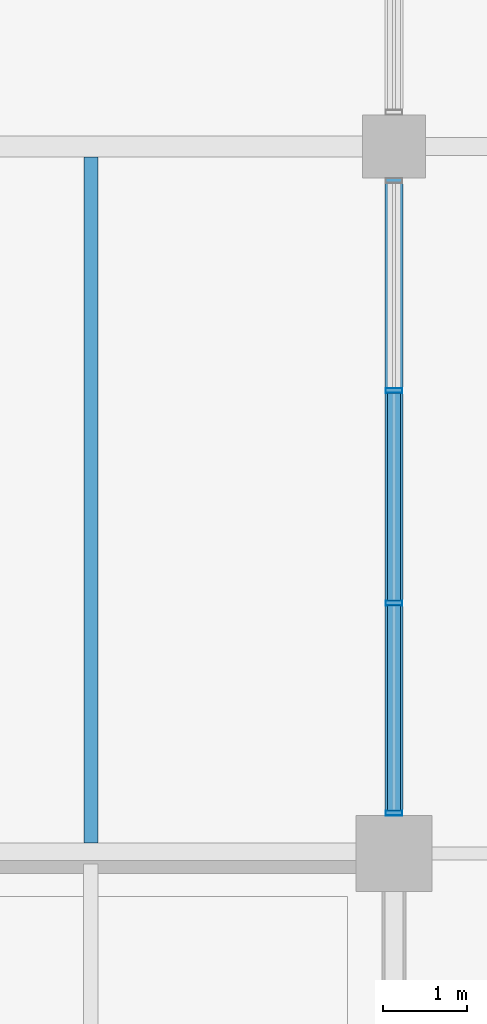
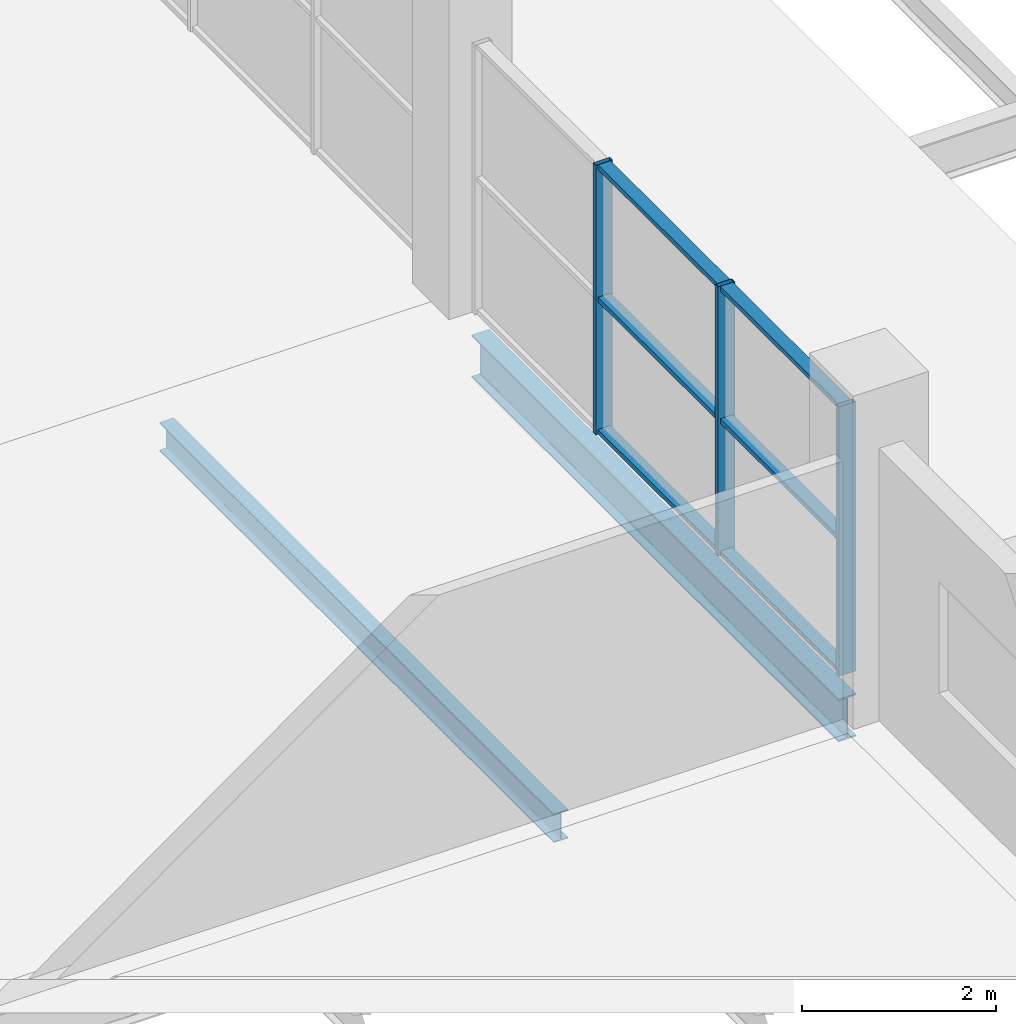
# One storey, part 44 of 161: 9 members, 2 beams, 1 element without a shape of its own.
"""IFC4 building model written with IfcOpenShell, lengths in metres."""

from ifc_helpers import new_model, si_unit, direction, frame, origin, origin_2d, place, context, subcontext, project, spatial, hollow_rectangle, i_section, extrude, material, material_profile, profile_set, type_object, element, aggregate, save


model = new_model("IFC4")

# Units and contexts
model_context = context("Model", 3, precision=1e-05, world=origin(), true_north=direction((0.0, 1.0)))
body_context = subcontext(model_context, "Body", "Model", "MODEL_VIEW")
ifc_project = project(units=[si_unit("LENGTHUNIT", "METRE"), si_unit("AREAUNIT", "SQUARE_METRE"), si_unit("VOLUMEUNIT", "CUBIC_METRE"), si_unit("PLANEANGLEUNIT", "RADIAN"), si_unit("MASSUNIT", "GRAM", prefix="KILO"), si_unit("THERMODYNAMICTEMPERATUREUNIT", "KELVIN")], contexts=[model_context])

# Site, building, storey
site_placement = place(None, origin())
site = spatial("IfcSite", under=ifc_project, at=site_placement, CompositionType="ELEMENT")
building_placement = place(site_placement, origin())
building = spatial("IfcBuilding", under=site, at=building_placement, Name="Nduvali Passage Aquatics Centre", CompositionType="ELEMENT")
storey_placement = place(building_placement, frame((0.0, 0.0, 4.800048828125)))
storey = spatial("IfcBuildingStorey", under=building, at=storey_placement, Name="L01", CompositionType="ELEMENT", Elevation=4.800048828125)

# Curtain wall, members
ifc_material_1 = material(Name="Aluminium EN AW-6063 T6", Category="aluminium")
curtain_wall_type = type_object("IfcCurtainWallType", Name="ENV-CW-HALL", PredefinedType="NOTDEFINED", material=ifc_material_1)
curtain_wall_placement = place(storey_placement, origin())
curtain_wall = element("IfcCurtainWall", 1, at=curtain_wall_placement, inside=storey, type_object=curtain_wall_type, Name="L01 East Passage Pool Hall Gallery Glazing 015", PredefinedType="NOTDEFINED")
ifc_material_profile_1 = material_profile(ifc_material_1, hollow_rectangle(XDim=0.06005859375, YDim=0.199951171875, WallThickness=0.00390625, at=origin_2d()), Name="ALU MULLION 60x200x4")
ifc_profile_set_1 = profile_set([ifc_material_profile_1], Name="Aluminium EN AW-6063 T6")
member_type_1 = type_object("IfcMemberType", Name="ENV-MEM-MUL80", PredefinedType="MULLION", material=ifc_profile_set_1)
member_1_placement = place(storey_placement, frame((126.0, 25.679931640625, 0.0), z_axis=(0.0, 0.0, 1.0), x_axis=(0.0, 1.0, 0.0)))
member_1 = element("IfcMember", 2, at=member_1_placement, type_object=member_type_1, Name="East Passage Pool Hall Gallery Glazing Mullion 1", PredefinedType="MULLION", context=body_context, shape_type="SweptSolid", body=[
    extrude(hollow_rectangle(XDim=0.06005859375, YDim=0.199951171875, WallThickness=0.00390625, at=origin_2d()), origin(), (0.0, 0.0, 1.0), 3.396484375),
])
member_2_placement = place(storey_placement, frame((126.0, 28.175048828125, 0.0), z_axis=(0.0, 0.0, 1.0), x_axis=(0.0, 1.0, 0.0)))
member_2 = element("IfcMember", 3, at=member_2_placement, type_object=member_type_1, Name="East Passage Pool Hall Gallery Glazing Mullion 2", PredefinedType="MULLION", context=body_context, shape_type="SweptSolid", body=[
    extrude(hollow_rectangle(XDim=0.06005859375, YDim=0.199951171875, WallThickness=0.00390625, at=origin_2d()), origin(), (0.0, 0.0, 1.0), 3.396484375),
])
member_3_placement = place(storey_placement, frame((126.0, 30.699951171875, 0.0), z_axis=(0.0, 0.0, 1.0), x_axis=(0.0, 1.0, 0.0)))
member_3 = element("IfcMember", 4, at=member_3_placement, type_object=member_type_1, Name="East Passage Pool Hall Gallery Glazing Mullion 3", PredefinedType="MULLION", context=body_context, shape_type="SweptSolid", body=[
    extrude(hollow_rectangle(XDim=0.06005859375, YDim=0.199951171875, WallThickness=0.00390625, at=origin_2d()), origin(), (0.0, 0.0, 1.0), 3.396484375),
])
ifc_material_profile_2 = material_profile(ifc_material_1, hollow_rectangle(XDim=0.14990234375, YDim=0.06005859375, WallThickness=0.00390625, at=origin_2d()), Name="ALU TRANSOM 150x60x4")
ifc_profile_set_2 = profile_set([ifc_material_profile_2], Name="Aluminium EN AW-6063 T6")
member_type_2 = type_object("IfcMemberType", Name="ENV-MEM-TRN80", PredefinedType="USERDEFINED", material=ifc_profile_set_2)
member_4_placement = place(storey_placement, frame((126.0, 25.7099609375, 0.030029296875), z_axis=(0.0, 1.0, 0.0), x_axis=(-1.0, 0.0, 0.0)))
member_4 = element("IfcMember", 5, at=member_4_placement, type_object=member_type_2, Name="East Passage Pool Hall Gallery Glazing Transom B1-R0", ObjectType="TRANSOM", PredefinedType="USERDEFINED", context=body_context, shape_type="SweptSolid", body=[
    extrude(hollow_rectangle(XDim=0.14990234375, YDim=0.06005859375, WallThickness=0.00390625, at=origin_2d()), origin(), (0.0, 0.0, 1.0), 2.43505859375),
])
member_5_placement = place(storey_placement, frame((126.0, 25.7099609375, 1.6982421875), z_axis=(0.0, 1.0, 0.0), x_axis=(-1.0, 0.0, 0.0)))
member_5 = element("IfcMember", 6, at=member_5_placement, type_object=member_type_2, Name="East Passage Pool Hall Gallery Glazing Transom B1-R1", ObjectType="TRANSOM", PredefinedType="USERDEFINED", context=body_context, shape_type="SweptSolid", body=[
    extrude(hollow_rectangle(XDim=0.14990234375, YDim=0.06005859375, WallThickness=0.00390625, at=origin_2d()), origin(), (0.0, 0.0, 1.0), 2.43505859375),
])
member_6_placement = place(storey_placement, frame((126.0, 25.7099609375, 3.366455078125), z_axis=(0.0, 1.0, 0.0), x_axis=(-1.0, 0.0, 0.0)))
member_6 = element("IfcMember", 7, at=member_6_placement, type_object=member_type_2, Name="East Passage Pool Hall Gallery Glazing Transom B1-R2", ObjectType="TRANSOM", PredefinedType="USERDEFINED", context=body_context, shape_type="SweptSolid", body=[
    extrude(hollow_rectangle(XDim=0.14990234375, YDim=0.06005859375, WallThickness=0.00390625, at=origin_2d()), origin(), (0.0, 0.0, 1.0), 2.43505859375),
])
member_7_placement = place(storey_placement, frame((126.0, 28.205078125, 0.030029296875), z_axis=(0.0, 1.0, 0.0), x_axis=(-1.0, 0.0, 0.0)))
member_7 = element("IfcMember", 8, at=member_7_placement, type_object=member_type_2, Name="East Passage Pool Hall Gallery Glazing Transom B2-R0", ObjectType="TRANSOM", PredefinedType="USERDEFINED", context=body_context, shape_type="SweptSolid", body=[
    extrude(hollow_rectangle(XDim=0.14990234375, YDim=0.06005859375, WallThickness=0.00390625, at=origin_2d()), origin(), (0.0, 0.0, 1.0), 2.46484375),
])
member_8_placement = place(storey_placement, frame((126.0, 28.205078125, 1.6982421875), z_axis=(0.0, 1.0, 0.0), x_axis=(-1.0, 0.0, 0.0)))
member_8 = element("IfcMember", 9, at=member_8_placement, type_object=member_type_2, Name="East Passage Pool Hall Gallery Glazing Transom B2-R1", ObjectType="TRANSOM", PredefinedType="USERDEFINED", context=body_context, shape_type="SweptSolid", body=[
    extrude(hollow_rectangle(XDim=0.14990234375, YDim=0.06005859375, WallThickness=0.00390625, at=origin_2d()), origin(), (0.0, 0.0, 1.0), 2.46484375),
])
member_9_placement = place(storey_placement, frame((126.0, 28.205078125, 3.366455078125), z_axis=(0.0, 1.0, 0.0), x_axis=(-1.0, 0.0, 0.0)))
member_9 = element("IfcMember", 10, at=member_9_placement, type_object=member_type_2, Name="East Passage Pool Hall Gallery Glazing Transom B2-R2", ObjectType="TRANSOM", PredefinedType="USERDEFINED", context=body_context, shape_type="SweptSolid", body=[
    extrude(hollow_rectangle(XDim=0.14990234375, YDim=0.06005859375, WallThickness=0.00390625, at=origin_2d()), origin(), (0.0, 0.0, 1.0), 2.46484375),
])
aggregate(curtain_wall, [member_1, member_2, member_3, member_4, member_5, member_6, member_7, member_8, member_9])

# Beams
ifc_material_2 = material(Name="Steel S355", Category="steel")
ifc_material_profile_3 = material_profile(ifc_material_2, i_section(OverallWidth=0.210693359375, OverallDepth=0.53955078125, WebThickness=0.01171875, FlangeThickness=0.018798828125, FilletRadius=0.0126953125, at=origin_2d()), Name="UKB 533x210x109")
ifc_profile_set_3 = profile_set([ifc_material_profile_3], Name="Steel S355")
beam_type_1 = type_object("IfcBeamType", Name="STR-BM-UKB533-EXT", PredefinedType="BEAM", material=ifc_profile_set_3)
beam_1_placement = place(storey_placement, frame((126.0, 25.64990234375, -0.553955078125), z_axis=(0.0, 1.0, 0.0), x_axis=(-1.0, 0.0, 0.0)))
element("IfcBeam", 11, at=beam_1_placement, inside=storey, type_object=beam_type_1, Name="L01 Primary Y-Girder B6E-0625", PredefinedType="BEAM", context=body_context, shape_type="SweptSolid", body=[
    extrude(i_section(OverallWidth=0.210693359375, OverallDepth=0.53955078125, WebThickness=0.01171875, FlangeThickness=0.018798828125, FilletRadius=0.0126953125, at=origin_2d()), origin(), (0.0, 0.0, 1.0), 7.5751953125),
])
ifc_material_profile_4 = material_profile(ifc_material_2, i_section(OverallWidth=0.169921875, OverallDepth=0.360107421875, WebThickness=0.008056640625, FlangeThickness=0.0126953125, FilletRadius=0.01806640625, at=origin_2d()), Name="IPE 360")
ifc_profile_set_4 = profile_set([ifc_material_profile_4], Name="Steel S355")
beam_type_2 = type_object("IfcBeamType", Name="STR-JST-IPE360", PredefinedType="JOIST", material=ifc_profile_set_4)
beam_2_placement = place(storey_placement, frame((122.39990234375, 25.326904296875, -0.464111328125), z_axis=(0.0, 1.0, 0.0), x_axis=(-1.0, 0.0, 0.0)))
element("IfcBeam", 12, at=beam_2_placement, inside=storey, type_object=beam_type_2, Name="L01 Secondary Joist J6-0740", PredefinedType="JOIST", context=body_context, shape_type="SweptSolid", body=[
    extrude(i_section(OverallWidth=0.169921875, OverallDepth=0.360107421875, WebThickness=0.008056640625, FlangeThickness=0.0126953125, FilletRadius=0.01806640625, at=origin_2d()), origin(), (0.0, 0.0, 1.0), 8.146240234375),
])

save(model, "model.ifc")
